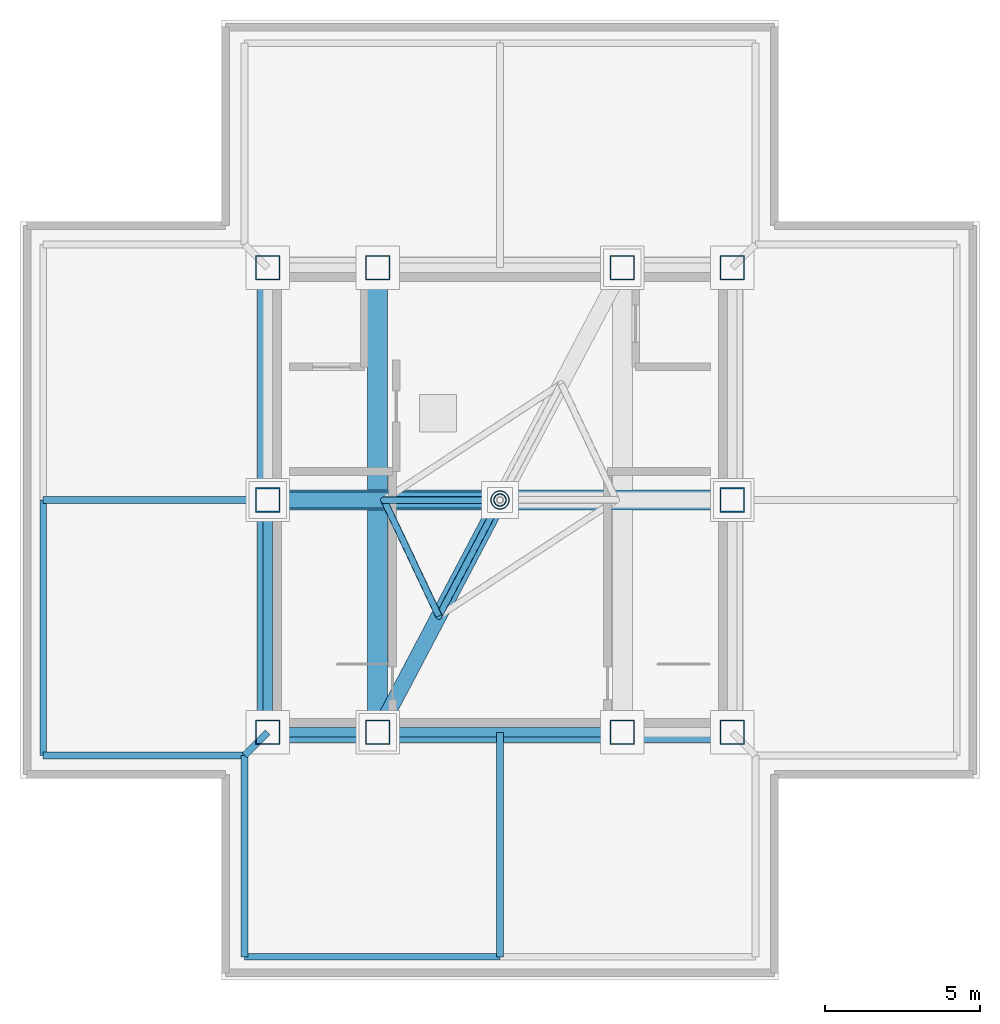
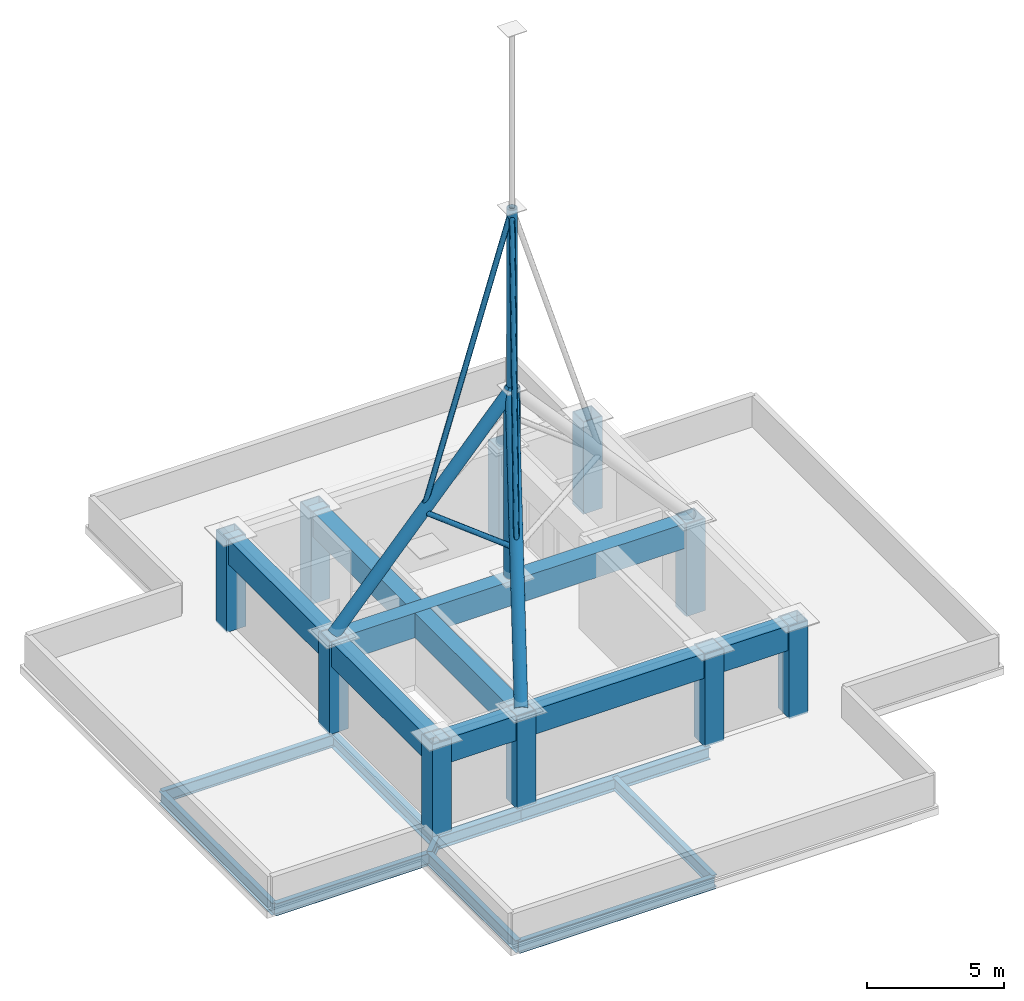
# One storey, part 1 of 5: 14 beams, 10 columns, 7 members.
"""IFC4 building model written with IfcOpenShell, lengths in metres."""

from ifc_helpers import new_model, si_unit, direction, frame, origin, origin_2d, place, context, subcontext, project, spatial, hollow_rectangle, hollow_circle, i_section, extrude, material, material_profile, profile_set, type_object, element, save


model = new_model("IFC4")

# Units and contexts
model_context = context("Model", 3, precision=1e-05, world=origin(), true_north=direction((0.0, 1.0)))
body_context = subcontext(model_context, "Body", "Model", "MODEL_VIEW")
ifc_project = project(units=[si_unit("LENGTHUNIT", "METRE"), si_unit("AREAUNIT", "SQUARE_METRE"), si_unit("VOLUMEUNIT", "CUBIC_METRE"), si_unit("PLANEANGLEUNIT", "RADIAN"), si_unit("MASSUNIT", "GRAM", prefix="KILO")], contexts=[model_context])

# Site, building, storey
site_placement = place(None, origin())
site = spatial("IfcSite", under=ifc_project, at=site_placement, CompositionType="ELEMENT")
building_placement = place(site_placement, origin())
building = spatial("IfcBuilding", under=site, at=building_placement, Name="Trevonay Congress Spire", CompositionType="ELEMENT")
storey_placement = place(building_placement, frame((0.0, 0.0, 323.60009765625)))
storey = spatial("IfcBuildingStorey", under=building, at=storey_placement, Name="RF", CompositionType="ELEMENT", Elevation=323.60009765625)

# Columns
ifc_material_1 = material(Name="Steel ASTM A572 Grade 50", Category="steel")
ifc_material_profile_1 = material_profile(ifc_material_1, hollow_rectangle(XDim=0.800048828125, YDim=0.800048828125, WallThickness=0.0400390625, at=origin_2d()), Name="BOX 800x800x40")
ifc_profile_set_1 = profile_set([ifc_material_profile_1], Name="Steel ASTM A572 Grade 50")
column_type = type_object("IfcColumnType", Name="COL-CORE-BOX800", PredefinedType="COLUMN", material=ifc_profile_set_1)
for number, where, z_axis, x_axis, name in (
    (1, (-7.5, -7.5, 0.0), (0.0, 0.0, 1.0), (1.0, 0.0, 0.0), "RF column C05 at CC-SW"),
    (2, (-3.949951171875, -7.5, 0.0), (0.0, 0.0, 1.0), (1.0, 0.0, 0.0), "RF column C05 at CC-SMW"),
    (3, (3.949951171875, -7.5, 0.0), (0.0, 0.0, 1.0), (1.0, 0.0, 0.0), "RF column C05 at CC-SME"),
    (4, (7.5, -7.5, 0.0), (0.0, 0.0, 1.0), (1.0, 0.0, 0.0), "RF column C05 at CC-SE"),
    (5, (7.5, 0.0, 0.0), (0.0, 0.0, 1.0), (1.0, 0.0, 0.0), "RF column C05 at CC-E"),
    (6, (7.5, 7.5, 0.0), (0.0, 0.0, 1.0), (1.0, 0.0, 0.0), "RF column C05 at CC-NE"),
    (7, (3.949951171875, 7.5, 0.0), (0.0, 0.0, 1.0), (1.0, 0.0, 0.0), "RF column C05 at CC-NME"),
    (8, (-3.949951171875, 7.5, 0.0), (0.0, 0.0, 1.0), (1.0, 0.0, 0.0), "RF column C05 at CC-NMW"),
    (9, (-7.5, 7.5, 0.0), (0.0, 0.0, 1.0), (1.0, 0.0, 0.0), "RF column C05 at CC-NW"),
    (10, (-7.5, 0.0, 0.0), (0.0, 0.0, 1.0), (1.0, 0.0, 0.0), "RF column C05 at CC-W"),
):
    element("IfcColumn", number, at=place(storey_placement, frame(where, z_axis=z_axis, x_axis=x_axis)), inside=storey, type_object=column_type, Name=name, PredefinedType="COLUMN", context=body_context, shape_type="SweptSolid", body=[
        extrude(hollow_rectangle(XDim=0.800048828125, YDim=0.800048828125, WallThickness=0.0400390625, at=origin_2d()), origin(), (0.0, 0.0, 1.0), 4.099853515625),
    ])

# Beams
ifc_material_profile_2 = material_profile(ifc_material_1, i_section(OverallWidth=0.2119140625, OverallDepth=0.5439453125, WebThickness=0.01318359375, FlangeThickness=0.021240234375, FilletRadius=0.014892578125, at=origin_2d()), Name="W530x123")
ifc_profile_set_2 = profile_set([ifc_material_profile_2], Name="Steel ASTM A572 Grade 50")
beam_type_1 = type_object("IfcBeamType", Name="BM-GIRD-W530X123", PredefinedType="BEAM", material=ifc_profile_set_2)
beam_1_placement = place(storey_placement, frame((-7.5, -7.5, -0.572021484375), z_axis=(-0.707106781187, -0.707106781187, 0.0), x_axis=(0.707106781187, -0.707106781187, 0.0)))
element("IfcBeam", 11, at=beam_1_placement, inside=storey, type_object=beam_type_1, Name="RF structural beam BM-RF-DSW", PredefinedType="BEAM", context=body_context, shape_type="SweptSolid", body=[
    extrude(i_section(OverallWidth=0.2119140625, OverallDepth=0.5439453125, WebThickness=0.01318359375, FlangeThickness=0.021240234375, FilletRadius=0.014892578125, at=origin_2d()), origin(), (0.0, 0.0, 1.0), 1.060546875),
])
for number, where, z_axis, x_axis, name in (
    (12, (0.0, -7.5, -0.572021484375), (0.0, -1.0, 0.0), (1.0, 0.0, 0.0), "RF structural beam BM-RF-RC-S"),
    (13, (-7.5, 0.0, -0.572021484375), (-1.0, 0.0, 0.0), (0.0, -1.0, 0.0), "RF structural beam BM-RF-RC-W"),
):
    element("IfcBeam", number, at=place(storey_placement, frame(where, z_axis=z_axis, x_axis=x_axis)), inside=storey, type_object=beam_type_1, Name=name, PredefinedType="BEAM", context=body_context, shape_type="SweptSolid", body=[
        extrude(i_section(OverallWidth=0.2119140625, OverallDepth=0.5439453125, WebThickness=0.01318359375, FlangeThickness=0.021240234375, FilletRadius=0.014892578125, at=origin_2d()), origin(), (0.0, 0.0, 1.0), 7.25),
    ])
ifc_material_profile_3 = material_profile(ifc_material_1, i_section(OverallWidth=0.31201171875, OverallDepth=0.54296875, WebThickness=0.0126953125, FlangeThickness=0.020263671875, FilletRadius=0.014892578125, at=origin_2d()), Name="W530x150")
ifc_profile_set_3 = profile_set([ifc_material_profile_3], Name="Steel ASTM A572 Grade 50")
beam_type_2 = type_object("IfcBeamType", Name="BM-GIRD-W530X150", PredefinedType="BEAM", material=ifc_profile_set_3)
beam_2_placement = place(storey_placement, frame((-7.5, -7.5, -0.571533203125), z_axis=(1.0, 0.0, 0.0), x_axis=(0.0, 1.0, 0.0)))
element("IfcBeam", 14, at=beam_2_placement, inside=storey, type_object=beam_type_2, Name="RF structural beam BM-RF-CR-S1", PredefinedType="BEAM", context=body_context, shape_type="SweptSolid", body=[
    extrude(i_section(OverallWidth=0.31201171875, OverallDepth=0.54296875, WebThickness=0.0126953125, FlangeThickness=0.020263671875, FilletRadius=0.014892578125, at=origin_2d()), origin(), (0.0, 0.0, 1.0), 3.550048828125),
])
beam_3_placement = place(storey_placement, frame((-3.949951171875, -7.5, -0.571533203125), z_axis=(1.0, 0.0, 0.0), x_axis=(0.0, 1.0, 0.0)))
element("IfcBeam", 15, at=beam_3_placement, inside=storey, type_object=beam_type_2, Name="RF structural beam BM-RF-CR-S2", PredefinedType="BEAM", context=body_context, shape_type="SweptSolid", body=[
    extrude(i_section(OverallWidth=0.31201171875, OverallDepth=0.54296875, WebThickness=0.0126953125, FlangeThickness=0.020263671875, FilletRadius=0.014892578125, at=origin_2d()), origin(), (0.0, 0.0, 1.0), 7.89990234375),
])
beam_4_placement = place(storey_placement, frame((-7.5, -7.5, -0.571533203125), z_axis=(0.0, 1.0, 0.0), x_axis=(-1.0, 0.0, 0.0)))
element("IfcBeam", 16, at=beam_4_placement, inside=storey, type_object=beam_type_2, Name="RF structural beam BM-RF-CR-W1", PredefinedType="BEAM", context=body_context, shape_type="SweptSolid", body=[
    extrude(i_section(OverallWidth=0.31201171875, OverallDepth=0.54296875, WebThickness=0.0126953125, FlangeThickness=0.020263671875, FilletRadius=0.014892578125, at=origin_2d()), origin(), (0.0, 0.0, 1.0), 7.5),
])
ifc_material_profile_4 = material_profile(ifc_material_1, i_section(OverallWidth=0.2119140625, OverallDepth=0.5439453125, WebThickness=0.01318359375, FlangeThickness=0.021240234375, FilletRadius=0.014892578125, at=origin_2d()), Name="W530x123")
ifc_profile_set_4 = profile_set([ifc_material_profile_4], Name="Steel ASTM A572 Grade 50")
beam_type_3 = type_object("IfcBeamType", Name="BM-RING-W530X123", PredefinedType="BEAM", material=ifc_profile_set_4)
for number, where, z_axis, x_axis, name in (
    (17, (-8.25, -14.75, -0.572021484375), (1.0, 0.0, 0.0), (0.0, 1.0, 0.0), "RF structural beam BM-RF-RS0"),
    (18, (-14.75, -8.25, -0.572021484375), (0.0, 1.0, 0.0), (-1.0, 0.0, 0.0), "RF structural beam BM-RF-RW0"),
):
    element("IfcBeam", number, at=place(storey_placement, frame(where, z_axis=z_axis, x_axis=x_axis)), inside=storey, type_object=beam_type_3, Name=name, PredefinedType="BEAM", context=body_context, shape_type="SweptSolid", body=[
        extrude(i_section(OverallWidth=0.2119140625, OverallDepth=0.5439453125, WebThickness=0.01318359375, FlangeThickness=0.021240234375, FilletRadius=0.014892578125, at=origin_2d()), origin(), (0.0, 0.0, 1.0), 8.25),
    ])
for number, where, z_axis, x_axis, name in (
    (19, (-8.25, -14.75, -0.572021484375), (0.0, 1.0, 0.0), (-1.0, 0.0, 0.0), "RF structural beam BM-RF-N1SW"),
    (20, (-14.75, -8.25, -0.572021484375), (1.0, 0.0, 0.0), (0.0, 1.0, 0.0), "RF structural beam BM-RF-N2SW"),
):
    element("IfcBeam", number, at=place(storey_placement, frame(where, z_axis=z_axis, x_axis=x_axis)), inside=storey, type_object=beam_type_3, Name=name, PredefinedType="BEAM", context=body_context, shape_type="SweptSolid", body=[
        extrude(i_section(OverallWidth=0.2119140625, OverallDepth=0.5439453125, WebThickness=0.01318359375, FlangeThickness=0.021240234375, FilletRadius=0.014892578125, at=origin_2d()), origin(), (0.0, 0.0, 1.0), 6.5),
    ])
ifc_material_profile_5 = material_profile(ifc_material_1, hollow_rectangle(XDim=0.64990234375, YDim=1.10009765625, WallThickness=0.044921875, at=origin_2d()), Name="BOX 1100x650x45")
ifc_profile_set_5 = profile_set([ifc_material_profile_5], Name="Steel ASTM A572 Grade 50")
beam_type_4 = type_object("IfcBeamType", Name="BM-XFER-BOX1100", PredefinedType="BEAM", material=ifc_profile_set_5)
for number, where, z_axis, x_axis, name in (
    (21, (-7.5, -7.5, 3.5498046875), (1.0, 0.0, 0.0), (0.0, 1.0, 0.0), "RF structural beam BM-RFP-S"),
    (22, (-7.5, -7.5, 3.5498046875), (0.0, 1.0, 0.0), (-1.0, 0.0, 0.0), "RF structural beam BM-RFP-W"),
    (23, (-7.5, 0.0, 3.5498046875), (1.0, 0.0, 0.0), (0.0, 1.0, 0.0), "RF structural beam BM-RFP-X"),
    (24, (-3.949951171875, -7.5, 3.5498046875), (0.0, 1.0, 0.0), (-1.0, 0.0, 0.0), "RF structural beam BM-RFP-Y"),
):
    element("IfcBeam", number, at=place(storey_placement, frame(where, z_axis=z_axis, x_axis=x_axis)), inside=storey, type_object=beam_type_4, Name=name, PredefinedType="BEAM", context=body_context, shape_type="SweptSolid", body=[
        extrude(hollow_rectangle(XDim=0.64990234375, YDim=1.10009765625, WallThickness=0.044921875, at=origin_2d()), origin(), (0.0, 0.0, 1.0), 15.0),
    ])

# Members
ifc_material_profile_6 = material_profile(ifc_material_1, hollow_circle(Radius=0.25390625, WallThickness=0.02490234375, at=origin_2d()), Name="CHS 508x25")
ifc_profile_set_6 = profile_set([ifc_material_profile_6], Name="Steel ASTM A572 Grade 50")
member_type_1 = type_object("IfcMemberType", Name="MBR-SPIRE-LEG508", PredefinedType="USERDEFINED", material=ifc_profile_set_6)
member_1_placement = place(storey_placement, frame((-3.949951171875, -7.5, 4.099853515625), z_axis=(0.332949556752, 0.632190517549, 0.699628288578), x_axis=(-0.884792611682, 0.465985015117, 0.0)))
element("IfcMember", 25, at=member_1_placement, inside=storey, type_object=member_type_1, Name="Structural steel needle spire raking leg SL1", ObjectType="SPIRE", PredefinedType="USERDEFINED", context=body_context, shape_type="SweptSolid", body=[
    extrude(hollow_circle(Radius=0.25390625, WallThickness=0.02490234375, at=origin_2d()), origin(), (0.0, 0.0, 1.0), 11.863525390625),
])
member_2_placement = place(storey_placement, frame((-7.5, 0.0, 4.099853515625), z_axis=(0.670442877817, 0.0, 0.741961149646), x_axis=(0.0, 1.0, 0.0)))
element("IfcMember", 26, at=member_2_placement, inside=storey, type_object=member_type_1, Name="Structural steel needle spire raking leg SL4", ObjectType="SPIRE", PredefinedType="USERDEFINED", context=body_context, shape_type="SweptSolid", body=[
    extrude(hollow_circle(Radius=0.25390625, WallThickness=0.02490234375, at=origin_2d()), origin(), (0.0, 0.0, 1.0), 11.1865234375),
])
ifc_material_2 = material(Name="Steel ASTM A500 Grade C", Category="steel")
ifc_material_profile_7 = material_profile(ifc_material_2, hollow_circle(Radius=0.203125, WallThickness=0.02001953125, at=origin_2d()), Name="CHS 406.4x20")
ifc_profile_set_7 = profile_set([ifc_material_profile_7], Name="Steel ASTM A500 Grade C")
member_type_2 = type_object("IfcMemberType", Name="MBR-SPIRE-MAST406", PredefinedType="USERDEFINED", material=ifc_profile_set_7)
member_3_placement = place(storey_placement, frame((0.0, 0.0, 12.349853515625), z_axis=(0.0, 0.0, 1.0), x_axis=(1.0, 0.0, 0.0)))
element("IfcMember", 27, at=member_3_placement, inside=storey, type_object=member_type_2, Name="Structural steel needle spire middle mast segment", ObjectType="SPIRE", PredefinedType="USERDEFINED", context=body_context, shape_type="SweptSolid", body=[
    extrude(hollow_circle(Radius=0.203125, WallThickness=0.02001953125, at=origin_2d()), origin(), (0.0, 0.0, 1.0), 8.10009765625),
])
ifc_material_profile_8 = material_profile(ifc_material_1, hollow_circle(Radius=0.304931640625, WallThickness=0.031982421875, at=origin_2d()), Name="CHS 610x32")
ifc_profile_set_8 = profile_set([ifc_material_profile_8], Name="Steel ASTM A572 Grade 50")
member_type_3 = type_object("IfcMemberType", Name="MBR-SPIRE-MAST610", PredefinedType="USERDEFINED", material=ifc_profile_set_8)
member_4_placement = place(storey_placement, frame((0.0, 0.0, 3.89990234375), z_axis=(0.0, 0.0, 1.0), x_axis=(1.0, 0.0, 0.0)))
element("IfcMember", 28, at=member_4_placement, inside=storey, type_object=member_type_3, Name="Structural steel needle spire lower mast segment", ObjectType="SPIRE", PredefinedType="USERDEFINED", context=body_context, shape_type="SweptSolid", body=[
    extrude(hollow_circle(Radius=0.304931640625, WallThickness=0.031982421875, at=origin_2d()), origin(), (0.0, 0.0, 1.0), 8.550048828125),
])
ifc_material_profile_9 = material_profile(ifc_material_2, hollow_circle(Radius=0.109619140625, WallThickness=0.012451171875, at=origin_2d()), Name="CHS 219.1x12.5")
ifc_profile_set_9 = profile_set([ifc_material_profile_9], Name="Steel ASTM A500 Grade C")
member_type_4 = type_object("IfcMemberType", Name="MBR-SPIRE-TIP219", PredefinedType="USERDEFINED", material=ifc_profile_set_9)
member_5_placement = place(storey_placement, frame((-1.97509765625, -3.75, 8.25), z_axis=(0.153489921489, 0.29142215007, 0.944200177108), x_axis=(-0.884780736551, 0.466007562415, 0.0)))
element("IfcMember", 29, at=member_5_placement, inside=storey, type_object=member_type_4, Name="Needle spire upper stay strut 1", ObjectType="SPIRE", PredefinedType="USERDEFINED", context=body_context, shape_type="SweptSolid", body=[
    extrude(hollow_circle(Radius=0.109619140625, WallThickness=0.012451171875, at=origin_2d()), origin(), (0.0, 0.0, 1.0), 12.867919921875),
])
member_6_placement = place(storey_placement, frame((-3.75, 0.0, 8.25), z_axis=(0.427808072265, -0.903869599724, 0.0), x_axis=(0.903869599724, 0.427808072265, 0.0)))
element("IfcMember", 30, at=member_6_placement, inside=storey, type_object=member_type_4, Name="Needle spire horizontal collar strut 4", ObjectType="SPIRE", PredefinedType="USERDEFINED", context=body_context, shape_type="SweptSolid", body=[
    extrude(hollow_circle(Radius=0.109619140625, WallThickness=0.012451171875, at=origin_2d()), origin(), (0.0, 0.0, 1.0), 4.14892578125),
])
member_7_placement = place(storey_placement, frame((-3.75, 0.0, 8.25), z_axis=(0.294916851865, 0.0, 0.955522919917), x_axis=(0.0, 1.0, 0.0)))
element("IfcMember", 31, at=member_7_placement, inside=storey, type_object=member_type_4, Name="Needle spire upper stay strut 4", ObjectType="SPIRE", PredefinedType="USERDEFINED", context=body_context, shape_type="SweptSolid", body=[
    extrude(hollow_circle(Radius=0.109619140625, WallThickness=0.012451171875, at=origin_2d()), origin(), (0.0, 0.0, 1.0), 12.71533203125),
])

save(model, "model.ifc")
